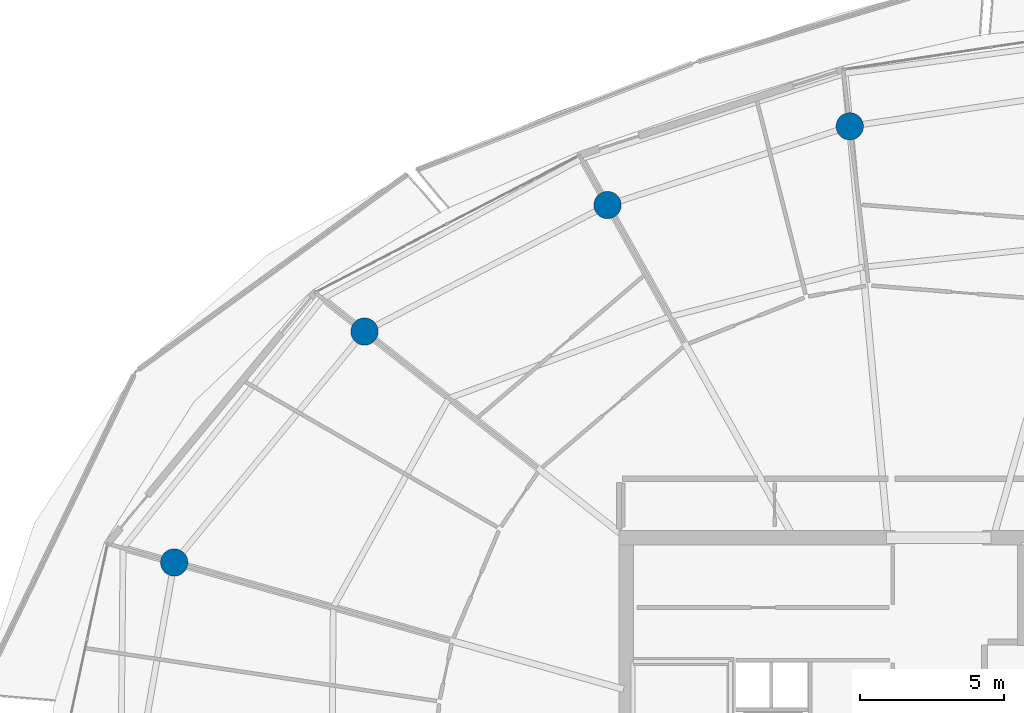
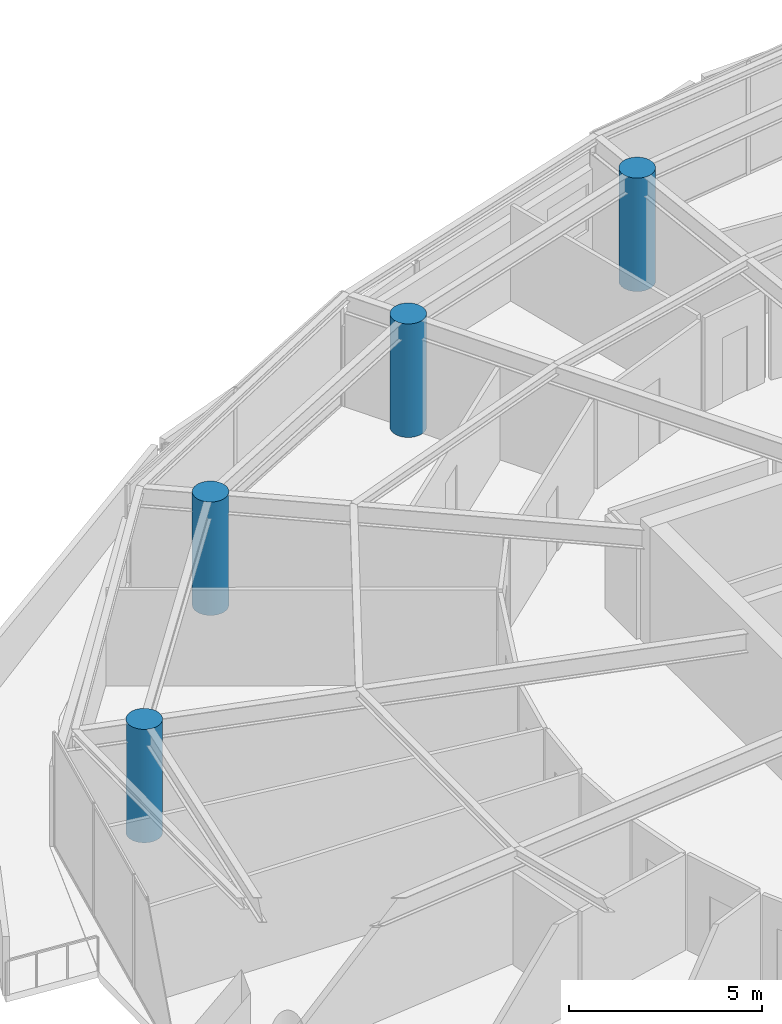
# One storey, part 4 of 30: 4 columns.
"""IFC4 building model written with IfcOpenShell, lengths in metres."""

from ifc_helpers import new_model, si_unit, direction, frame, origin, origin_2d, place, context, subcontext, project, spatial, circle, extrude, material, material_profile, profile_set, type_object, element, save


model = new_model("IFC4")

# Units and contexts
model_context = context("Model", 3, precision=1e-05, world=origin(), true_north=direction((0.0, 1.0)))
body_context = subcontext(model_context, "Body", "Model", "MODEL_VIEW")
ifc_project = project(units=[si_unit("LENGTHUNIT", "METRE"), si_unit("AREAUNIT", "SQUARE_METRE"), si_unit("VOLUMEUNIT", "CUBIC_METRE"), si_unit("PLANEANGLEUNIT", "RADIAN"), si_unit("MASSUNIT", "GRAM", prefix="KILO")], contexts=[model_context])

# Site, building, storey
site_placement = place(None, origin())
site = spatial("IfcSite", under=ifc_project, at=site_placement, CompositionType="ELEMENT")
building_placement = place(site_placement, origin())
building = spatial("IfcBuilding", under=site, at=building_placement, Name="Kazma Halo Residences", CompositionType="ELEMENT")
storey_placement = place(building_placement, frame((0.0, 0.0, 290.60009765625)))
storey = spatial("IfcBuildingStorey", under=building, at=storey_placement, Name="L73", CompositionType="ELEMENT", Elevation=290.60009765625)

# Columns
ifc_material = material(Name="Concrete C60/75", Category="concrete")
ifc_material_profile = material_profile(ifc_material, circle(Radius=0.47509765625, at=origin_2d()), Name="CIRC950")
ifc_profile_set = profile_set([ifc_material_profile], Name="Concrete C60/75")
column_type = type_object("IfcColumnType", Name="COL-PERIM-950", PredefinedType="COLUMN", material=ifc_profile_set)
for number, where, z_axis, x_axis, name in (
    (1, (45.32861328125, 64.57080078125, 0.0), (0.0, 0.0, 1.0), (1.0, 0.0, 0.0), "L73 perimeter ring column P04"),
    (2, (36.89453125, 61.830322265625, 0.0), (0.0, 0.0, 1.0), (1.0, 0.0, 0.0), "L73 perimeter ring column P05"),
    (3, (28.433837890625, 57.4248046875, 0.0), (0.0, 0.0, 1.0), (1.0, 0.0, 0.0), "L73 perimeter ring column P06"),
    (4, (21.80908203125, 49.38671875, 0.0), (0.0, 0.0, 1.0), (1.0, 0.0, 0.0), "L73 perimeter ring column P07"),
):
    element("IfcColumn", number, at=place(storey_placement, frame(where, z_axis=z_axis, x_axis=x_axis)), inside=storey, type_object=column_type, Name=name, PredefinedType="COLUMN", context=body_context, shape_type="SweptSolid", body=[
        extrude(circle(Radius=0.47509765625, at=origin_2d()), origin(), (0.0, 0.0, 1.0), 3.58984375),
    ])

save(model, "model.ifc")
